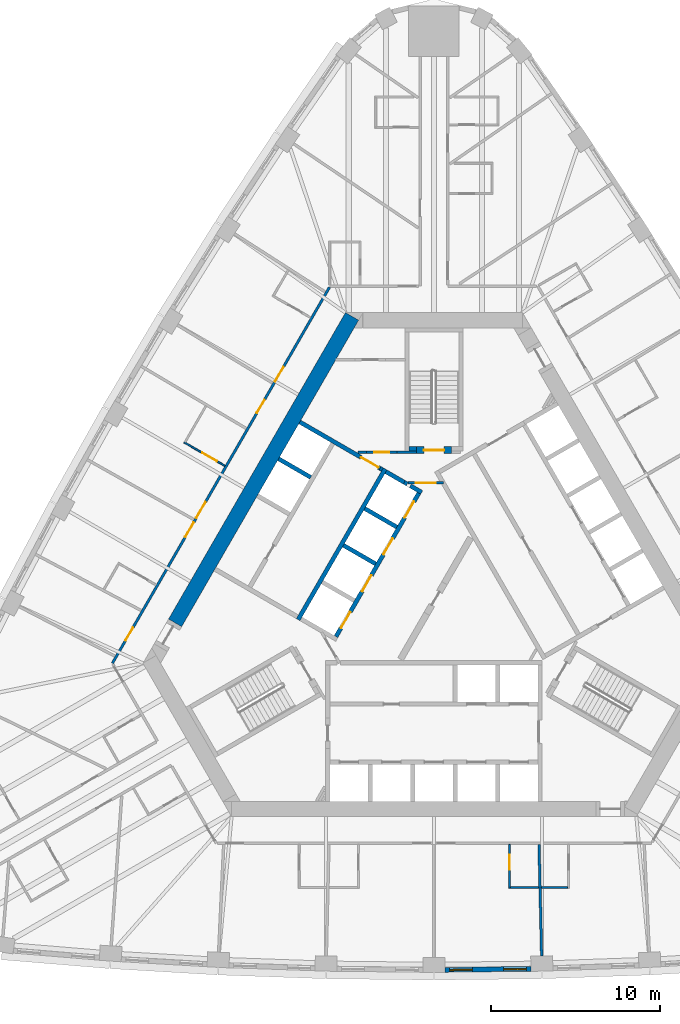
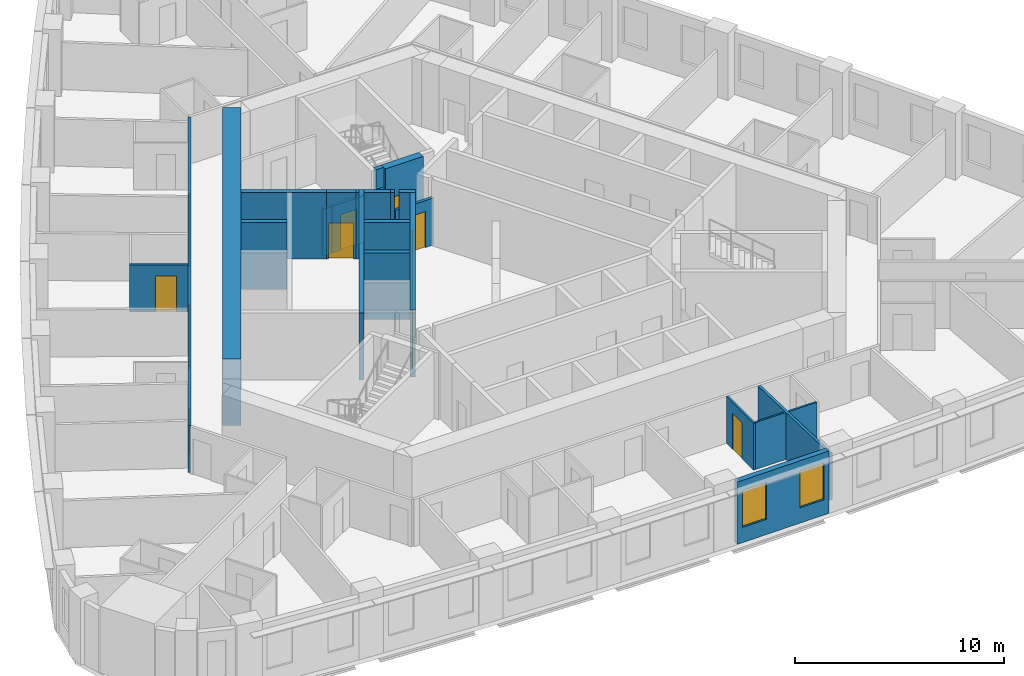
# One storey, part 6 of 12: 25 walls, 15 doors, 2 windows, 17 openings.
"""IFC4 building model written with IfcOpenShell, lengths in metres."""

from ifc_helpers import new_model, si_unit, direction, frame, frame_2d, origin, place, context, subcontext, project, spatial, polyline, rectangle, outline, extrude, material, layer, layer_set, type_object, element, fill, save


model = new_model("IFC4")

# Units and contexts
model_context = context("Model", 3, precision=1e-05, world=origin(), true_north=direction((0.0, 1.0)))
body_context = subcontext(model_context, "Body", "Model", "MODEL_VIEW")
ifc_project = project(units=[si_unit("LENGTHUNIT", "METRE"), si_unit("AREAUNIT", "SQUARE_METRE"), si_unit("VOLUMEUNIT", "CUBIC_METRE"), si_unit("PLANEANGLEUNIT", "RADIAN"), si_unit("MASSUNIT", "GRAM", prefix="KILO")], contexts=[model_context])

# Site, building, storey
site_placement = place(None, origin())
site = spatial("IfcSite", under=ifc_project, at=site_placement, CompositionType="ELEMENT")
building_placement = place(site_placement, origin())
building = spatial("IfcBuilding", under=site, at=building_placement, Name="Mestral Congress Tower", CompositionType="ELEMENT")
storey_placement = place(building_placement, frame((0.0, 0.0, 103.199951171875)))
storey = spatial("IfcBuildingStorey", under=building, at=storey_placement, Name="L24", CompositionType="ELEMENT", Elevation=103.199951171875)

# Walls
ifc_material_1 = material(Name="Fire-rated board partition")
ifc_layer_1 = layer(ifc_material_1, 0.14990234375)
ifc_layer_set_1 = layer_set([ifc_layer_1], Name="Fire-rated board partition")
wall_type_1 = type_object("IfcWallType", Name="Core partition 150", PredefinedType="PARTITIONING", material=ifc_layer_set_1)
wall_1_placement = place(storey_placement, frame((-3.99658203125, 8.625244140625, 0.0), z_axis=(0.0, 0.0, 1.0), x_axis=(-1.0, 0.0, 0.0)))
element("IfcWall", 1, at=wall_1_placement, inside=storey, type_object=wall_type_1, Name="L24 core wall", PredefinedType="PARTITIONING", context=body_context, shape_type="SweptSolid", body=[
    extrude(rectangle(XDim=0.502197265625, YDim=0.14990234375, at=frame_2d((0.2509765625, 0.0))), origin(), (0.0, 0.0, 1.0), 2.75),
])
wall_2_placement = place(storey_placement, frame((-2.1962890625, 8.62548828125, 0.0), z_axis=(0.0, 0.0, 1.0), x_axis=(1.0, 0.0, 0.0)))
element("IfcWall", 2, at=wall_2_placement, inside=storey, type_object=wall_type_1, Name="L24 core wall", PredefinedType="PARTITIONING", context=body_context, shape_type="SweptSolid", body=[
    extrude(rectangle(XDim=1.146240234375, YDim=0.14990234375, at=frame_2d((0.5732421875, 0.0))), origin(), (0.0, 0.0, 1.0), 2.75),
])

# Wall, opening, door
wall_3_placement = place(storey_placement, frame((-2.1962890625, 8.625, 0.0), z_axis=(0.0, 0.0, 1.0), x_axis=(-1.0, 0.0, 0.0)))
wall_3 = element("IfcWall", 3, at=wall_3_placement, inside=storey, type_object=wall_type_1, Name="L24 door wall", PredefinedType="PARTITIONING", context=body_context, shape_type="SweptSolid", body=[
    extrude(rectangle(XDim=1.800048828125, YDim=0.14990234375, at=frame_2d((0.89990234375, 0.0))), origin(), (0.0, 0.0, 1.0), 2.75),
])
opening_1_placement = place(wall_3_placement, frame((0.449951171875, 0.0, 0.0)))
opening_1 = element("IfcOpeningElement", 4, at=opening_1_placement, cuts=wall_3, Name="Opening TD2", PredefinedType="OPENING", context=body_context, shape_type="SweptSolid", body=[
    extrude(rectangle(XDim=0.89990234375, YDim=2.10009765625, at=frame_2d((0.449951171875, 1.050048828125))), frame((0.0, 0.0849609375, 0.0), z_axis=(0.0, -1.0, 0.0), x_axis=(1.0, 0.0, 0.0)), (0.0, 0.0, 1.0), 0.169921875),
])
ifc_material_2 = material(Name="Fire-rated steel door set", Category="steel")
door_type_1 = type_object("IfcDoorType", Name="Core door SR 900x2100", OperationType="SINGLE_SWING_LEFT", PredefinedType="DOOR", material=ifc_material_2)
door_1_placement = place(opening_1_placement, origin())
door_1 = element("IfcDoor", 5, at=door_1_placement, inside=storey, type_object=door_type_1, Name="Door TD2", OperationType="SINGLE_SWING_LEFT", OverallHeight=2.10009765625, OverallWidth=0.89990234375, PredefinedType="DOOR", context=body_context, shape_type="SweptSolid", body=[
    extrude(rectangle(XDim=0.89990234375, YDim=2.10009765625, at=frame_2d((0.449951171875, 1.050048828125))), frame((0.0, 0.02490234375, 0.0), z_axis=(0.0, -1.0, 0.0), x_axis=(1.0, 0.0, 0.0)), (0.0, 0.0, 1.0), 0.050048828125),
])
fill(opening_1, door_1)

wall_4_placement = place(storey_placement, frame((-1.534423828125, 6.800048828125, 0.0), z_axis=(0.0, 0.0, 1.0), x_axis=(1.0, 0.0, 0.0)))
wall_4 = element("IfcWall", 6, at=wall_4_placement, inside=storey, type_object=wall_type_1, Name="L24 door wall", PredefinedType="PARTITIONING", context=body_context, shape_type="SweptSolid", body=[
    extrude(rectangle(XDim=2.099853515625, YDim=0.14990234375, at=frame_2d((1.0498046875, 0.0))), origin(), (0.0, 0.0, 1.0), 2.75),
])
opening_2_placement = place(wall_4_placement, frame((0.449951171875, 0.0, 0.0)))
opening_2 = element("IfcOpeningElement", 7, at=opening_2_placement, cuts=wall_4, Name="Opening CD2-FF", PredefinedType="OPENING", context=body_context, shape_type="SweptSolid", body=[
    extrude(rectangle(XDim=1.199951171875, YDim=2.10009765625, at=frame_2d((0.60009765625, 1.050048828125))), frame((0.0, 0.0849609375, 0.0), z_axis=(0.0, -1.0, 0.0), x_axis=(1.0, 0.0, 0.0)), (0.0, 0.0, 1.0), 0.169921875),
])
door_type_2 = type_object("IfcDoorType", Name="Core door CD 1200x2100", OperationType="SINGLE_SWING_LEFT", PredefinedType="DOOR", material=ifc_material_2)
door_2_placement = place(opening_2_placement, origin())
door_2 = element("IfcDoor", 8, at=door_2_placement, inside=storey, type_object=door_type_2, Name="Door CD2-FF", OperationType="SINGLE_SWING_LEFT", OverallHeight=2.10009765625, OverallWidth=1.199951171875, PredefinedType="DOOR", context=body_context, shape_type="SweptSolid", body=[
    extrude(rectangle(XDim=1.199951171875, YDim=2.10009765625, at=frame_2d((0.60009765625, 1.050048828125))), frame((0.0, 0.02490234375, 0.0), z_axis=(0.0, -1.0, 0.0), x_axis=(1.0, 0.0, 0.0)), (0.0, 0.0, 1.0), 0.050048828125),
])
fill(opening_2, door_2)

# Wall
ifc_material_3 = material(Name="Concrete C60/75", Category="concrete")
ifc_layer_2 = layer(ifc_material_3, 0.89990234375)
ifc_layer_set_2 = layer_set([ifc_layer_2], Name="Concrete C60/75")
wall_type_2 = type_object("IfcWallType", Name="Core wall RC 900", PredefinedType="SOLIDWALL", material=ifc_layer_set_2)
wall_5_placement = place(storey_placement, frame((-15.359619140625, -1.50341796875, 0.0), z_axis=(0.0, 0.0, 1.0), x_axis=(0.50000389221, 0.866023156604, 0.0)))
element("IfcWall", 9, at=wall_5_placement, inside=storey, type_object=wall_type_2, Name="L24 core wall", PredefinedType="SOLIDWALL", context=body_context, shape_type="SweptSolid", body=[
    extrude(rectangle(XDim=21.000244140625, YDim=0.89990234375, at=frame_2d((10.5, 0.0))), origin(), (0.0, 0.0, 1.0), 3.900146484375),
])

# Wall, openings, windows
ifc_material_4 = material(Name="Precast concrete C40/50 with limestone facing", Category="masonry")
ifc_layer_3 = layer(ifc_material_4, 0.2900390625)
ifc_layer_set_3 = layer_set([ifc_layer_3], Name="Precast concrete C40/50 with limestone facing")
wall_type_3 = type_object("IfcWallType", Name="Facade stone wall 290", PredefinedType="SOLIDWALL", material=ifc_layer_set_3)
wall_6_placement = place(storey_placement, frame((0.6533203125, -22.091064453125, 0.0), z_axis=(0.0, 0.0, 1.0), x_axis=(0.999931786565, 0.011679992145, 0.0)))
wall_6 = element("IfcWall", 10, at=wall_6_placement, inside=storey, type_object=wall_type_3, Name="Facade wall F0-04", PredefinedType="SOLIDWALL", context=body_context, shape_type="SweptSolid", body=[
    extrude(rectangle(XDim=5.10009765625, YDim=0.2900390625, at=frame_2d((2.550048828125, 0.0))), origin(), (0.0, 0.0, 1.0), 3.650146484375),
])
opening_3_placement = place(wall_6_placement, frame((0.272705078125, 0.0, 0.89990234375)))
opening_3 = element("IfcOpeningElement", 11, at=opening_3_placement, cuts=wall_6, Name="Opening W2", PredefinedType="OPENING", context=body_context, shape_type="SweptSolid", body=[
    extrude(rectangle(XDim=1.35009765625, YDim=2.14990234375, at=frame_2d((0.675048828125, 1.074951171875))), frame((0.0, 0.155029296875, 0.0), z_axis=(0.0, -1.0, 0.0), x_axis=(1.0, 0.0, 0.0)), (0.0, 0.0, 1.0), 0.31005859375),
])
opening_4_placement = place(wall_6_placement, frame((3.477783203125, 0.0, 0.89990234375)))
opening_4 = element("IfcOpeningElement", 12, at=opening_4_placement, cuts=wall_6, Name="Opening W2", PredefinedType="OPENING", context=body_context, shape_type="SweptSolid", body=[
    extrude(rectangle(XDim=1.35009765625, YDim=2.14990234375, at=frame_2d((0.675048828125, 1.074951171875))), frame((0.0, 0.155029296875, 0.0), z_axis=(0.0, -1.0, 0.0), x_axis=(1.0, 0.0, 0.0)), (0.0, 0.0, 1.0), 0.31005859375),
])
ifc_material_5 = material(Name="Clear low-emissivity double glazing", Category="glass")
window_type = type_object("IfcWindowType", Name="Facade punched window 1350 x 2150 sill 900", PartitioningType="DOUBLE_PANEL_VERTICAL", PredefinedType="WINDOW", material=ifc_material_5)
window_1_placement = place(opening_3_placement, origin())
window_1 = element("IfcWindow", 13, at=window_1_placement, inside=storey, type_object=window_type, Name="Window F0-04a", OverallHeight=2.14990234375, OverallWidth=1.35009765625, PartitioningType="DOUBLE_PANEL_VERTICAL", PredefinedType="WINDOW", context=body_context, shape_type="SweptSolid", body=[
    extrude(rectangle(XDim=1.35009765625, YDim=2.14990234375, at=frame_2d((0.675048828125, 1.074951171875))), frame((0.0, 0.01513671875, 0.0), z_axis=(0.0, -1.0, 0.0), x_axis=(1.0, 0.0, 0.0)), (0.0, 0.0, 1.0), 0.06005859375),
])
fill(opening_3, window_1)
window_2_placement = place(opening_4_placement, origin())
window_2 = element("IfcWindow", 14, at=window_2_placement, inside=storey, type_object=window_type, Name="Window F0-04b", OverallHeight=2.14990234375, OverallWidth=1.35009765625, PartitioningType="DOUBLE_PANEL_VERTICAL", PredefinedType="WINDOW", context=body_context, shape_type="SweptSolid", body=[
    extrude(rectangle(XDim=1.35009765625, YDim=2.14990234375, at=frame_2d((0.675048828125, 1.074951171875))), frame((0.0, 0.01513671875, 0.0), z_axis=(0.0, -1.0, 0.0), x_axis=(1.0, 0.0, 0.0)), (0.0, 0.0, 1.0), 0.06005859375),
])
fill(opening_4, window_2)

# Wall, opening, door
ifc_material_6 = material(Name="Gypsum board partition on metal studs with mineral wool", Category="composite")
ifc_layer_4 = layer(ifc_material_6, 0.10009765625)
ifc_layer_set_4 = layer_set([ifc_layer_4], Name="Gypsum board partition on metal studs with mineral wool")
wall_type_4 = type_object("IfcWallType", Name="Hotel partition wall 100", PredefinedType="PARTITIONING", material=ifc_layer_set_4)
wall_7_placement = place(storey_placement, frame((4.480224609375, -14.64990234375, 0.0), z_axis=(0.0, 0.0, 1.0), x_axis=(0.0, -1.0, 0.0)))
wall_7 = element("IfcWall", 15, at=wall_7_placement, inside=storey, type_object=wall_type_4, Name="L24-h-pod05a", PredefinedType="PARTITIONING", context=body_context, shape_type="SweptSolid", body=[
    extrude(rectangle(XDim=2.60009765625, YDim=0.10009765625, at=frame_2d((1.300048828125, 0.0))), origin(), (0.0, 0.0, 1.0), 2.75),
])
opening_5_placement = place(wall_7_placement, frame((0.60009765625, 0.0, 0.0)))
opening_5 = element("IfcOpeningElement", 16, at=opening_5_placement, cuts=wall_7, Name="Opening H07-010", PredefinedType="OPENING", context=body_context, shape_type="SweptSolid", body=[
    extrude(rectangle(XDim=0.89990234375, YDim=2.10009765625, at=frame_2d((0.449951171875, 1.050048828125))), frame((0.0, 0.06005859375, 0.0), z_axis=(0.0, -1.0, 0.0), x_axis=(1.0, 0.0, 0.0)), (0.0, 0.0, 1.0), 0.1201171875),
])
ifc_material_7 = material(Name="Timber veneer door leaf in timber frame", Category="wood")
door_type_3 = type_object("IfcDoorType", Name="Bathroom door 900", OperationType="SINGLE_SWING_LEFT", PredefinedType="DOOR", material=ifc_material_7)
door_3_placement = place(opening_5_placement, origin())
door_3 = element("IfcDoor", 17, at=door_3_placement, inside=storey, type_object=door_type_3, Name="L24-h-d010", OperationType="SINGLE_SWING_LEFT", OverallHeight=2.10009765625, OverallWidth=0.89990234375, PredefinedType="DOOR", context=body_context, shape_type="SweptSolid", body=[
    extrude(rectangle(XDim=0.89990234375, YDim=2.10009765625, at=frame_2d((0.449951171875, 1.050048828125))), frame((0.0, 0.02490234375, 0.0), z_axis=(0.0, -1.0, 0.0), x_axis=(1.0, 0.0, 0.0)), (0.0, 0.0, 1.0), 0.050048828125),
])
fill(opening_5, door_3)

# Walls
wall_8_placement = place(storey_placement, frame((4.5302734375, -17.199951171875, 0.0), z_axis=(0.0, 0.0, 1.0), x_axis=(1.0, 0.0, 0.0)))
element("IfcWall", 18, at=wall_8_placement, inside=storey, type_object=wall_type_4, Name="L24-h-pod05b", PredefinedType="PARTITIONING", context=body_context, shape_type="SweptSolid", body=[
    extrude(rectangle(XDim=1.679931640625, YDim=0.10009765625, at=frame_2d((0.83984375, 0.0))), origin(), (0.0, 0.0, 1.0), 2.75),
])
wall_9_placement = place(storey_placement, frame((7.937744140625, -17.199951171875, 0.0), z_axis=(0.0, 0.0, 1.0), x_axis=(-1.0, 0.0, 0.0)))
element("IfcWall", 19, at=wall_9_placement, inside=storey, type_object=wall_type_4, Name="L24-h-pod06b", PredefinedType="PARTITIONING", context=body_context, shape_type="SweptSolid", body=[
    extrude(rectangle(XDim=1.56005859375, YDim=0.10009765625, at=frame_2d((0.780029296875, 0.0))), origin(), (0.0, 0.0, 1.0), 2.75),
])

# Wall, opening, door
wall_10_placement = place(storey_placement, frame((-14.830322265625, 9.213134765625, 0.0), z_axis=(0.0, 0.0, 1.0), x_axis=(0.866034573852, -0.49998411664, 0.0)))
wall_10 = element("IfcWall", 20, at=wall_10_placement, inside=storey, type_object=wall_type_4, Name="L24-h-pod22a", PredefinedType="PARTITIONING", context=body_context, shape_type="SweptSolid", body=[
    extrude(rectangle(XDim=2.7998046875, YDim=0.10009765625, at=frame_2d((1.39990234375, 0.0))), origin(), (0.0, 0.0, 1.0), 2.75),
])
opening_6_placement = place(wall_10_placement, frame((1.25, 0.0, 0.0)))
opening_6 = element("IfcOpeningElement", 21, at=opening_6_placement, cuts=wall_10, Name="Opening H07-042", PredefinedType="OPENING", context=body_context, shape_type="SweptSolid", body=[
    extrude(rectangle(XDim=1.0, YDim=2.10009765625, at=frame_2d((0.5, 1.050048828125))), frame((0.0, 0.06005859375, 0.0), z_axis=(0.0, -1.0, 0.0), x_axis=(1.0, 0.0, 0.0)), (0.0, 0.0, 1.0), 0.1201171875),
])
door_type_4 = type_object("IfcDoorType", Name="Accessible bathroom door 1000", OperationType="SINGLE_SWING_LEFT", PredefinedType="DOOR", material=ifc_material_7)
door_4_placement = place(opening_6_placement, origin())
door_4 = element("IfcDoor", 22, at=door_4_placement, inside=storey, type_object=door_type_4, Name="L24-h-d042", OperationType="SINGLE_SWING_LEFT", OverallHeight=2.10009765625, OverallWidth=1.0, PredefinedType="DOOR", context=body_context, shape_type="SweptSolid", body=[
    extrude(rectangle(XDim=1.0, YDim=2.10009765625, at=frame_2d((0.5, 1.050048828125))), frame((0.0, 0.02490234375, 0.0), z_axis=(0.0, -1.0, 0.0), x_axis=(1.0, 0.0, 0.0)), (0.0, 0.0, 1.0), 0.050048828125),
])
fill(opening_6, door_4)

# Wall, openings, doors
ifc_layer_5 = layer(ifc_material_6, 0.14990234375)
ifc_layer_set_5 = layer_set([ifc_layer_5], Name="Gypsum board partition on metal studs with mineral wool")
wall_type_5 = type_object("IfcWallType", Name="Hotel partition wall 150", PredefinedType="PARTITIONING", material=ifc_layer_set_5)
wall_11_placement = place(storey_placement, frame((-19.081298828125, -3.89990234375, 0.0), z_axis=(0.0, 0.0, 1.0), x_axis=(0.499998313975, 0.866026377209, 0.0)))
wall_11 = element("IfcWall", 23, at=wall_11_placement, inside=storey, type_object=wall_type_5, Name="L24-h-cw08", PredefinedType="PARTITIONING", context=body_context, shape_type="SweptSolid", body=[
    extrude(rectangle(XDim=25.76611328125, YDim=0.14990234375, at=frame_2d((12.883056640625, 0.0))), origin(), (0.0, 0.0, 1.0), 2.75),
])
opening_7_placement = place(wall_11_placement, frame((19.30615234375, 0.0, 0.0)))
opening_7 = element("IfcOpeningElement", 24, at=opening_7_placement, cuts=wall_11, Name="Opening H07-038", PredefinedType="OPENING", context=body_context, shape_type="SweptSolid", body=[
    extrude(rectangle(XDim=1.0, YDim=2.10009765625, at=frame_2d((0.5, 1.050048828125))), frame((0.0, 0.0849609375, 0.0), z_axis=(0.0, -1.0, 0.0), x_axis=(1.0, 0.0, 0.0)), (0.0, 0.0, 1.0), 0.169921875),
])
opening_8_placement = place(wall_11_placement, frame((17.143798828125, 0.0, 0.0)))
opening_8 = element("IfcOpeningElement", 25, at=opening_8_placement, cuts=wall_11, Name="Opening H07-040", PredefinedType="OPENING", context=body_context, shape_type="SweptSolid", body=[
    extrude(rectangle(XDim=0.89990234375, YDim=2.10009765625, at=frame_2d((0.449951171875, 1.050048828125))), frame((0.0, 0.0849609375, 0.0), z_axis=(0.0, -1.0, 0.0), x_axis=(1.0, 0.0, 0.0)), (0.0, 0.0, 1.0), 0.169921875),
])
opening_9_placement = place(wall_11_placement, frame((9.955078125, 0.0, 0.0)))
opening_9 = element("IfcOpeningElement", 26, at=opening_9_placement, cuts=wall_11, Name="Opening H07-041", PredefinedType="OPENING", context=body_context, shape_type="SweptSolid", body=[
    extrude(rectangle(XDim=1.10009765625, YDim=2.10009765625, at=frame_2d((0.550048828125, 1.050048828125))), frame((0.0, 0.0849609375, 0.0), z_axis=(0.0, -1.0, 0.0), x_axis=(1.0, 0.0, 0.0)), (0.0, 0.0, 1.0), 0.169921875),
])
opening_10_placement = place(wall_11_placement, frame((8.647705078125, 0.0, 0.0)))
opening_10 = element("IfcOpeningElement", 27, at=opening_10_placement, cuts=wall_11, Name="Opening H07-043", PredefinedType="OPENING", context=body_context, shape_type="SweptSolid", body=[
    extrude(rectangle(XDim=1.0, YDim=2.10009765625, at=frame_2d((0.5, 1.050048828125))), frame((0.0, 0.0849609375, 0.0), z_axis=(0.0, -1.0, 0.0), x_axis=(1.0, 0.0, 0.0)), (0.0, 0.0, 1.0), 0.169921875),
])
opening_11_placement = place(wall_11_placement, frame((1.553466796875, 0.0, 0.0)))
opening_11 = element("IfcOpeningElement", 28, at=opening_11_placement, cuts=wall_11, Name="Opening H07-045", PredefinedType="OPENING", context=body_context, shape_type="SweptSolid", body=[
    extrude(rectangle(XDim=0.89990234375, YDim=2.10009765625, at=frame_2d((0.449951171875, 1.050048828125))), frame((0.0, 0.0849609375, 0.0), z_axis=(0.0, -1.0, 0.0), x_axis=(1.0, 0.0, 0.0)), (0.0, 0.0, 1.0), 0.169921875),
])
ifc_material_8 = material(Name="Timber veneer door leaf in metal frame", Category="wood")
door_type_5 = type_object("IfcDoorType", Name="Accessible room entrance door 1100", OperationType="SINGLE_SWING_LEFT", PredefinedType="DOOR", material=ifc_material_8)
door_5_placement = place(opening_9_placement, origin())
door_5 = element("IfcDoor", 29, at=door_5_placement, inside=storey, type_object=door_type_5, Name="L24-h-d041", OperationType="SINGLE_SWING_LEFT", OverallHeight=2.10009765625, OverallWidth=1.10009765625, PredefinedType="DOOR", context=body_context, shape_type="SweptSolid", body=[
    extrude(rectangle(XDim=1.10009765625, YDim=2.10009765625, at=frame_2d((0.550048828125, 1.050048828125))), frame((0.0, 0.02490234375, 0.0), z_axis=(0.0, -1.0, 0.0), x_axis=(1.0, 0.0, 0.0)), (0.0, 0.0, 1.0), 0.050048828125),
])
fill(opening_9, door_5)
door_type_6 = type_object("IfcDoorType", Name="Guest room entrance door 1000", OperationType="SINGLE_SWING_LEFT", PredefinedType="DOOR", material=ifc_material_8)
door_6_placement = place(opening_7_placement, origin())
door_6 = element("IfcDoor", 30, at=door_6_placement, inside=storey, type_object=door_type_6, Name="L24-h-d038", OperationType="SINGLE_SWING_LEFT", OverallHeight=2.10009765625, OverallWidth=1.0, PredefinedType="DOOR", context=body_context, shape_type="SweptSolid", body=[
    extrude(rectangle(XDim=1.0, YDim=2.10009765625, at=frame_2d((0.5, 1.050048828125))), frame((0.0, 0.02490234375, 0.0), z_axis=(0.0, -1.0, 0.0), x_axis=(1.0, 0.0, 0.0)), (0.0, 0.0, 1.0), 0.050048828125),
])
fill(opening_7, door_6)
door_7_placement = place(opening_10_placement, origin())
door_7 = element("IfcDoor", 31, at=door_7_placement, inside=storey, type_object=door_type_6, Name="L24-h-d043", OperationType="SINGLE_SWING_RIGHT", OverallHeight=2.10009765625, OverallWidth=1.0, PredefinedType="DOOR", context=body_context, shape_type="SweptSolid", body=[
    extrude(rectangle(XDim=1.0, YDim=2.10009765625, at=frame_2d((0.5, 1.050048828125))), frame((0.0, 0.02490234375, 0.0), z_axis=(0.0, -1.0, 0.0), x_axis=(1.0, 0.0, 0.0)), (0.0, 0.0, 1.0), 0.050048828125),
])
fill(opening_10, door_7)
door_type_7 = type_object("IfcDoorType", Name="Service room door 900", OperationType="SINGLE_SWING_LEFT", PredefinedType="DOOR", material=ifc_material_8)
door_8_placement = place(opening_8_placement, origin())
door_8 = element("IfcDoor", 32, at=door_8_placement, inside=storey, type_object=door_type_7, Name="L24-h-d040", OperationType="SINGLE_SWING_LEFT", OverallHeight=2.10009765625, OverallWidth=0.89990234375, PredefinedType="DOOR", context=body_context, shape_type="SweptSolid", body=[
    extrude(rectangle(XDim=0.89990234375, YDim=2.10009765625, at=frame_2d((0.449951171875, 1.050048828125))), frame((0.0, 0.02490234375, 0.0), z_axis=(0.0, -1.0, 0.0), x_axis=(1.0, 0.0, 0.0)), (0.0, 0.0, 1.0), 0.050048828125),
])
fill(opening_8, door_8)
door_9_placement = place(opening_11_placement, origin())
door_9 = element("IfcDoor", 33, at=door_9_placement, inside=storey, type_object=door_type_7, Name="L24-h-d045", OperationType="SINGLE_SWING_RIGHT", OverallHeight=2.10009765625, OverallWidth=0.89990234375, PredefinedType="DOOR", context=body_context, shape_type="SweptSolid", body=[
    extrude(rectangle(XDim=0.89990234375, YDim=2.10009765625, at=frame_2d((0.449951171875, 1.050048828125))), frame((0.0, 0.02490234375, 0.0), z_axis=(0.0, -1.0, 0.0), x_axis=(1.0, 0.0, 0.0)), (0.0, 0.0, 1.0), 0.050048828125),
])
fill(opening_11, door_9)

# Walls
wall_12_placement = place(storey_placement, frame((6.388916015625, -21.268798828125, 0.0), z_axis=(0.0, 0.0, 1.0), x_axis=(-0.023377429176, 0.999726710559, 0.0)))
element("IfcWall", 34, at=wall_12_placement, inside=storey, type_object=wall_type_5, Name="L24-h-pw19", PredefinedType="PARTITIONING", context=body_context, shape_type="SweptSolid", body=[
    extrude(rectangle(XDim=6.610595703125, YDim=0.14990234375, at=frame_2d((3.30517578125, 0.0))), origin(), (0.0, 0.0, 1.0), 2.75),
])
ifc_layer_6 = layer(ifc_material_3, 0.25)
ifc_layer_set_6 = layer_set([ifc_layer_6], Name="Concrete C60/75")
wall_type_6 = type_object("IfcWallType", Name="Shaft wall RC 250", PredefinedType="SOLIDWALL", material=ifc_layer_set_6)
wall_13_placement = place(storey_placement, frame((-8.06005859375, -1.310546875, 0.0), z_axis=(0.0, 0.0, 1.0), x_axis=(0.50000273126, 0.866023826885, 0.0)))
element("IfcWall", 35, at=wall_13_placement, inside=storey, type_object=wall_type_6, Name="L24 core wall", PredefinedType="SOLIDWALL", context=body_context, shape_type="SweptSolid", body=[
    extrude(rectangle(XDim=10.330078125, YDim=0.25, at=frame_2d((5.1650390625, 0.0))), origin(), (0.0, 0.0, 1.0), 3.900146484375),
])
wall_14_placement = place(storey_placement, frame((-1.75830078125, 6.834716796875, 0.0), z_axis=(0.0, 0.0, 1.0), x_axis=(0.865982457891, -0.500074377092, 0.0)))
element("IfcWall", 36, at=wall_14_placement, inside=storey, type_object=wall_type_6, Name="L24 core wall", PredefinedType="SOLIDWALL", context=body_context, shape_type="SweptSolid", body=[
    extrude(rectangle(XDim=0.2001953125, YDim=0.25, at=frame_2d((0.10009765625, 0.0))), origin(), (0.0, 0.0, 1.0), 3.900146484375),
])
wall_15_placement = place(storey_placement, frame((-1.760009765625, 6.835693359375, 0.0), z_axis=(0.0, 0.0, 1.0), x_axis=(-0.865952863304, 0.500125622755, 0.0)))
element("IfcWall", 37, at=wall_15_placement, inside=storey, type_object=wall_type_6, Name="L24 core wall", PredefinedType="SOLIDWALL", context=body_context, shape_type="SweptSolid", body=[
    extrude(rectangle(XDim=1.258056640625, YDim=0.25, at=frame_2d((0.62890625, 0.0))), origin(), (0.0, 0.0, 1.0), 3.900146484375),
])
wall_16_placement = place(storey_placement, frame((-0.7275390625, 6.23974609375, 0.0), z_axis=(0.0, 0.0, 1.0), x_axis=(-0.865955664968, 0.500120771724, 0.0)))
element("IfcWall", 38, at=wall_16_placement, inside=storey, type_object=wall_type_6, Name="L24 core wall", PredefinedType="SOLIDWALL", context=body_context, shape_type="SweptSolid", body=[
    extrude(rectangle(XDim=0.778076171875, YDim=0.25, at=frame_2d((0.38916015625, 0.0))), origin(), (0.0, 0.0, 1.0), 3.900146484375),
])
for number, where, z_axis, x_axis, name in (
    (39, (-2.2041015625, 4.182373046875, 0.0), (0.0, 0.0, 1.0), (-0.866008176907, 0.50002983664, 0.0), "L24 core wall"),
    (40, (-5.369384765625, 3.10009765625, 0.0), (0.0, 0.0, 1.0), (0.866008176907, -0.50002983664, 0.0), "L24 core wall"),
):
    element("IfcWall", number, at=place(storey_placement, frame(where, z_axis=z_axis, x_axis=x_axis)), inside=storey, type_object=wall_type_6, Name=name, PredefinedType="SOLIDWALL", context=body_context, shape_type="SweptSolid", body=[
        extrude(rectangle(XDim=2.199951171875, YDim=0.25, at=frame_2d((1.10009765625, 0.0))), origin(), (0.0, 0.0, 1.0), 3.900146484375),
    ])
wall_17_placement = place(storey_placement, origin())
element("IfcWall", 41, at=wall_17_placement, inside=storey, type_object=wall_type_6, Name="L24 core wall", PredefinedType="SOLIDWALL", context=body_context, shape_type="SweptSolid", body=[
    extrude(outline(polyline([(-3.12841796875, 7.4814453125), (-3.2587890625, 7.556640625), (-3.1337890625, 7.773193359375), (-3.00341796875, 7.697998046875), (-3.12841796875, 7.4814453125)])), origin(), (0.0, 0.0, 1.0), 3.900146484375),
])
wall_18_placement = place(storey_placement, frame((-7.313720703125, 7.13232421875, 0.0), z_axis=(0.0, 0.0, 1.0), x_axis=(-0.866008176907, 0.50002983664, 0.0)))
element("IfcWall", 42, at=wall_18_placement, inside=storey, type_object=wall_type_6, Name="L24 core wall", PredefinedType="SOLIDWALL", context=body_context, shape_type="SweptSolid", body=[
    extrude(rectangle(XDim=2.199951171875, YDim=0.25, at=frame_2d((1.10009765625, 0.0))), origin(), (0.0, 0.0, 1.0), 3.900146484375),
])
wall_19_placement = place(storey_placement, frame((-7.958984375, 10.414794921875, 0.0), z_axis=(0.0, 0.0, 1.0), x_axis=(0.866020958405, -0.500007699544, 0.0)))
element("IfcWall", 43, at=wall_19_placement, inside=storey, type_object=wall_type_6, Name="L24 core wall", PredefinedType="SOLIDWALL", context=body_context, shape_type="SweptSolid", body=[
    extrude(rectangle(XDim=4.099609375, YDim=0.25, at=frame_2d((2.0498046875, 0.0))), origin(), (0.0, 0.0, 1.0), 3.900146484375),
])

# Wall, openings, doors
wall_20_placement = place(storey_placement, frame((-0.898193359375, 6.194091796875, 0.0), z_axis=(0.0, 0.0, 1.0), x_axis=(-0.499996202215, -0.866027596426, 0.0)))
wall_20 = element("IfcWall", 44, at=wall_20_placement, inside=storey, type_object=wall_type_6, Name="L24 door wall", PredefinedType="SOLIDWALL", context=body_context, shape_type="SweptSolid", body=[
    extrude(rectangle(XDim=9.830078125, YDim=0.25, at=frame_2d((4.9150390625, 0.0))), origin(), (0.0, 0.0, 1.0), 3.900146484375),
])
opening_12_placement = place(wall_20_placement, frame((0.5849609375, 0.0, 0.0)))
opening_12 = element("IfcOpeningElement", 45, at=opening_12_placement, cuts=wall_20, Name="Opening LD-NWB1", PredefinedType="OPENING", context=body_context, shape_type="SweptSolid", body=[
    extrude(rectangle(XDim=1.10009765625, YDim=2.10009765625, at=frame_2d((0.550048828125, 1.050048828125))), frame((0.0, 0.135009765625, 0.0), z_axis=(0.0, -1.0, 0.0), x_axis=(1.0, 0.0, 0.0)), (0.0, 0.0, 1.0), 0.27001953125),
])
opening_13_placement = place(wall_20_placement, frame((3.10498046875, 0.0, 0.0)))
opening_13 = element("IfcOpeningElement", 46, at=opening_13_placement, cuts=wall_20, Name="Opening LD-NWB2", PredefinedType="OPENING", context=body_context, shape_type="SweptSolid", body=[
    extrude(rectangle(XDim=1.10009765625, YDim=2.10009765625, at=frame_2d((0.550048828125, 1.050048828125))), frame((0.0, 0.135009765625, 0.0), z_axis=(0.0, -1.0, 0.0), x_axis=(1.0, 0.0, 0.0)), (0.0, 0.0, 1.0), 0.27001953125),
])
opening_14_placement = place(wall_20_placement, frame((5.625, 0.0, 0.0)))
opening_14 = element("IfcOpeningElement", 47, at=opening_14_placement, cuts=wall_20, Name="Opening LD-NWB3", PredefinedType="OPENING", context=body_context, shape_type="SweptSolid", body=[
    extrude(rectangle(XDim=1.10009765625, YDim=2.10009765625, at=frame_2d((0.550048828125, 1.050048828125))), frame((0.0, 0.135009765625, 0.0), z_axis=(0.0, -1.0, 0.0), x_axis=(1.0, 0.0, 0.0)), (0.0, 0.0, 1.0), 0.27001953125),
])
opening_15_placement = place(wall_20_placement, frame((8.14501953125, 0.0, 0.0)))
opening_15 = element("IfcOpeningElement", 48, at=opening_15_placement, cuts=wall_20, Name="Opening LD-NWB4", PredefinedType="OPENING", context=body_context, shape_type="SweptSolid", body=[
    extrude(rectangle(XDim=1.10009765625, YDim=2.10009765625, at=frame_2d((0.550048828125, 1.050048828125))), frame((0.0, 0.135009765625, 0.0), z_axis=(0.0, -1.0, 0.0), x_axis=(1.0, 0.0, 0.0)), (0.0, 0.0, 1.0), 0.27001953125),
])
door_type_8 = type_object("IfcDoorType", Name="Core door LD 1100x2100", OperationType="DOUBLE_DOOR_SLIDING", PredefinedType="DOOR", material=ifc_material_2)
door_10_placement = place(opening_12_placement, origin())
door_10 = element("IfcDoor", 49, at=door_10_placement, inside=storey, type_object=door_type_8, Name="Door LD-NWB1", OperationType="DOUBLE_DOOR_SLIDING", OverallHeight=2.10009765625, OverallWidth=1.10009765625, PredefinedType="DOOR", context=body_context, shape_type="SweptSolid", body=[
    extrude(rectangle(XDim=1.10009765625, YDim=2.10009765625, at=frame_2d((0.550048828125, 1.050048828125))), frame((0.0, 0.02490234375, 0.0), z_axis=(0.0, -1.0, 0.0), x_axis=(1.0, 0.0, 0.0)), (0.0, 0.0, 1.0), 0.050048828125),
])
fill(opening_12, door_10)
door_11_placement = place(opening_13_placement, origin())
door_11 = element("IfcDoor", 50, at=door_11_placement, inside=storey, type_object=door_type_8, Name="Door LD-NWB2", OperationType="DOUBLE_DOOR_SLIDING", OverallHeight=2.10009765625, OverallWidth=1.10009765625, PredefinedType="DOOR", context=body_context, shape_type="SweptSolid", body=[
    extrude(rectangle(XDim=1.10009765625, YDim=2.10009765625, at=frame_2d((0.550048828125, 1.050048828125))), frame((0.0, 0.02490234375, 0.0), z_axis=(0.0, -1.0, 0.0), x_axis=(1.0, 0.0, 0.0)), (0.0, 0.0, 1.0), 0.050048828125),
])
fill(opening_13, door_11)
door_12_placement = place(opening_14_placement, origin())
door_12 = element("IfcDoor", 51, at=door_12_placement, inside=storey, type_object=door_type_8, Name="Door LD-NWB3", OperationType="DOUBLE_DOOR_SLIDING", OverallHeight=2.10009765625, OverallWidth=1.10009765625, PredefinedType="DOOR", context=body_context, shape_type="SweptSolid", body=[
    extrude(rectangle(XDim=1.10009765625, YDim=2.10009765625, at=frame_2d((0.550048828125, 1.050048828125))), frame((0.0, 0.02490234375, 0.0), z_axis=(0.0, -1.0, 0.0), x_axis=(1.0, 0.0, 0.0)), (0.0, 0.0, 1.0), 0.050048828125),
])
fill(opening_14, door_12)
door_13_placement = place(opening_15_placement, origin())
door_13 = element("IfcDoor", 52, at=door_13_placement, inside=storey, type_object=door_type_8, Name="Door LD-NWB4", OperationType="DOUBLE_DOOR_SLIDING", OverallHeight=2.10009765625, OverallWidth=1.10009765625, PredefinedType="DOOR", context=body_context, shape_type="SweptSolid", body=[
    extrude(rectangle(XDim=1.10009765625, YDim=2.10009765625, at=frame_2d((0.550048828125, 1.050048828125))), frame((0.0, 0.02490234375, 0.0), z_axis=(0.0, -1.0, 0.0), x_axis=(1.0, 0.0, 0.0)), (0.0, 0.0, 1.0), 0.050048828125),
])
fill(opening_15, door_13)

# Wall, opening, door
wall_21_placement = place(storey_placement, frame((-4.40869140625, 8.364990234375, 0.0), z_axis=(0.0, 0.0, 1.0), x_axis=(0.866034573852, -0.49998411664, 0.0)))
wall_21 = element("IfcWall", 53, at=wall_21_placement, inside=storey, type_object=wall_type_6, Name="L24 door wall", PredefinedType="SOLIDWALL", context=body_context, shape_type="SweptSolid", body=[
    extrude(rectangle(XDim=1.39990234375, YDim=0.25, at=frame_2d((0.699951171875, 0.0))), origin(), (0.0, 0.0, 1.0), 3.900146484375),
])
opening_16_placement = place(wall_21_placement, frame((0.10009765625, 0.0, 0.0)))
opening_16 = element("IfcOpeningElement", 54, at=opening_16_placement, cuts=wall_21, Name="Opening LB2-WL2", PredefinedType="OPENING", context=body_context, shape_type="SweptSolid", body=[
    extrude(rectangle(XDim=1.199951171875, YDim=2.10009765625, at=frame_2d((0.60009765625, 1.050048828125))), frame((0.0, 0.135009765625, 0.0), z_axis=(0.0, -1.0, 0.0), x_axis=(1.0, 0.0, 0.0)), (0.0, 0.0, 1.0), 0.27001953125),
])
door_type_9 = type_object("IfcDoorType", Name="Core door LB 1200x2100", OperationType="SINGLE_SWING_LEFT", PredefinedType="DOOR", material=ifc_material_2)
door_14_placement = place(opening_16_placement, origin())
door_14 = element("IfcDoor", 55, at=door_14_placement, inside=storey, type_object=door_type_9, Name="Door LB2-WL2", OperationType="SINGLE_SWING_LEFT", OverallHeight=2.10009765625, OverallWidth=1.199951171875, PredefinedType="DOOR", context=body_context, shape_type="SweptSolid", body=[
    extrude(rectangle(XDim=1.199951171875, YDim=2.10009765625, at=frame_2d((0.60009765625, 1.050048828125))), frame((0.0, 0.02490234375, 0.0), z_axis=(0.0, -1.0, 0.0), x_axis=(1.0, 0.0, 0.0)), (0.0, 0.0, 1.0), 0.050048828125),
])
fill(opening_16, door_14)

# Wall
ifc_layer_7 = layer(ifc_material_3, 0.25)
ifc_layer_set_7 = layer_set([ifc_layer_7], Name="Concrete C60/75")
wall_type_7 = type_object("IfcWallType", Name="Stair wall RC 250", PredefinedType="SOLIDWALL", material=ifc_layer_set_7)
wall_22_placement = place(storey_placement, frame((-1.47509765625, 8.824951171875, 0.0), z_axis=(0.0, 0.0, 1.0), x_axis=(1.0, 0.0, 0.0)))
element("IfcWall", 56, at=wall_22_placement, inside=storey, type_object=wall_type_7, Name="L24 core wall", PredefinedType="SOLIDWALL", context=body_context, shape_type="SweptSolid", body=[
    extrude(rectangle(XDim=0.425048828125, YDim=0.25, at=frame_2d((0.21240234375, 0.0))), origin(), (0.0, 0.0, 1.0), 3.900146484375),
])

# Wall, opening, door
ifc_layer_8 = layer(ifc_material_3, 0.39990234375)
ifc_layer_set_8 = layer_set([ifc_layer_8], Name="Concrete C60/75")
wall_type_8 = type_object("IfcWallType", Name="Stair wall RC 250 door-wall 400", PredefinedType="SOLIDWALL", material=ifc_layer_set_8)
wall_23_placement = place(storey_placement, frame((1.050048828125, 8.75, 0.0), z_axis=(0.0, 0.0, 1.0), x_axis=(-1.0, 0.0, 0.0)))
wall_23 = element("IfcWall", 57, at=wall_23_placement, inside=storey, type_object=wall_type_8, Name="L24 door wall", PredefinedType="SOLIDWALL", context=body_context, shape_type="SweptSolid", body=[
    extrude(rectangle(XDim=2.10009765625, YDim=0.39990234375, at=frame_2d((1.050048828125, 0.0))), origin(), (0.0, 0.0, 1.0), 3.900146484375),
])
opening_17_placement = place(wall_23_placement, frame((0.449951171875, 0.0, 0.0)))
opening_17 = element("IfcOpeningElement", 58, at=opening_17_placement, cuts=wall_23, Name="Opening ST-D2", PredefinedType="OPENING", context=body_context, shape_type="SweptSolid", body=[
    extrude(rectangle(XDim=1.199951171875, YDim=2.10009765625, at=frame_2d((0.60009765625, 1.050048828125))), frame((0.0, 0.2099609375, 0.0), z_axis=(0.0, -1.0, 0.0), x_axis=(1.0, 0.0, 0.0)), (0.0, 0.0, 1.0), 0.419921875),
])
door_type_10 = type_object("IfcDoorType", Name="Core door ST 1200x2100", OperationType="SINGLE_SWING_LEFT", PredefinedType="DOOR", material=ifc_material_2)
door_15_placement = place(opening_17_placement, origin())
door_15 = element("IfcDoor", 59, at=door_15_placement, inside=storey, type_object=door_type_10, Name="Door ST-D2", OperationType="SINGLE_SWING_LEFT", OverallHeight=2.10009765625, OverallWidth=1.199951171875, PredefinedType="DOOR", context=body_context, shape_type="SweptSolid", body=[
    extrude(rectangle(XDim=1.199951171875, YDim=2.10009765625, at=frame_2d((0.60009765625, 1.050048828125))), frame((0.0, 0.02490234375, 0.0), z_axis=(0.0, -1.0, 0.0), x_axis=(1.0, 0.0, 0.0)), (0.0, 0.0, 1.0), 0.050048828125),
])
fill(opening_17, door_15)

save(model, "model.ifc")
